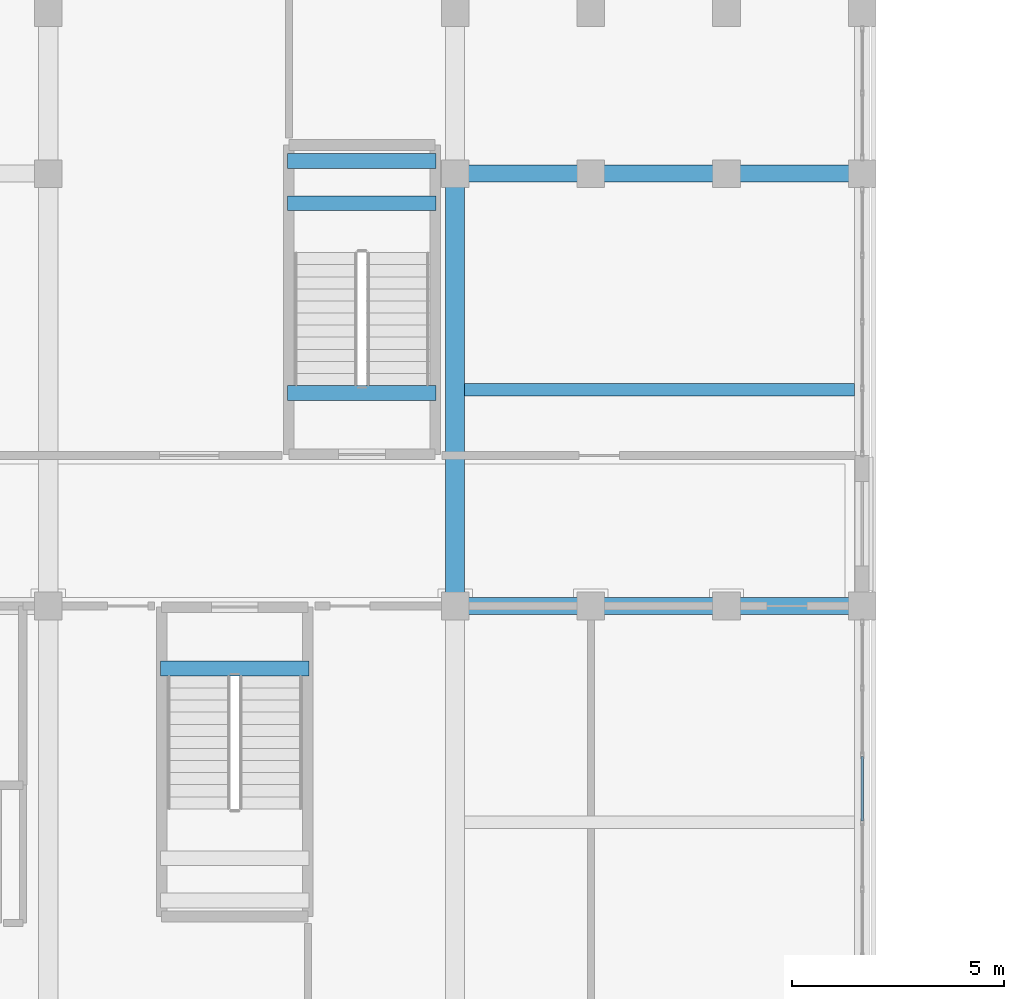
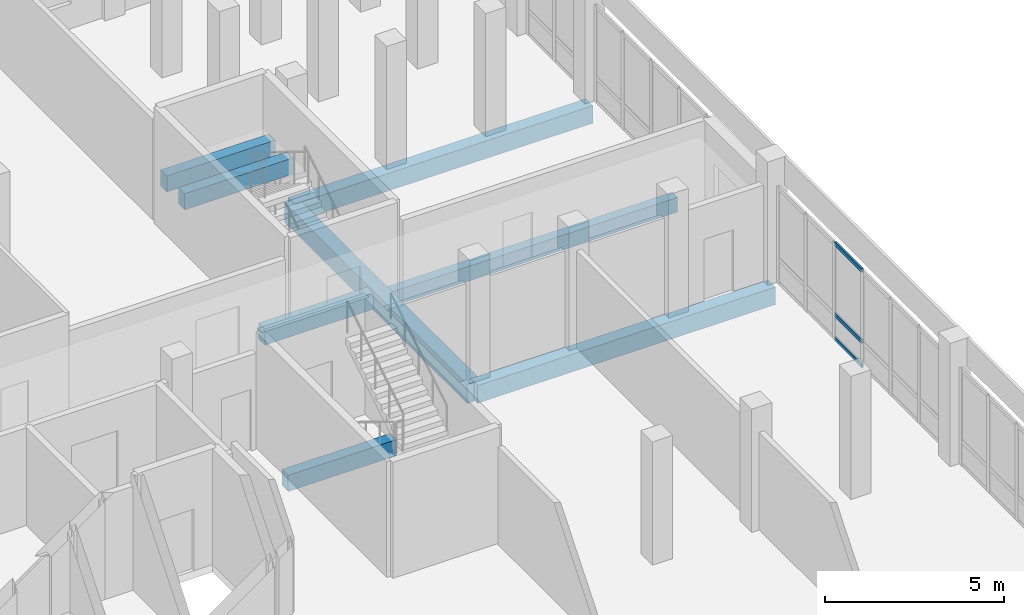
# One storey, part 17 of 200: 8 beams, 3 members, 1 element without a shape of its own.
"""IFC4 building model written with IfcOpenShell, lengths in metres."""

import ifcopenshell
import ifcopenshell.guid

model = None  # the IFC model being written
_history = None  # IfcOwnerHistory: only IFC2X3 demands one
_inside = {}  # id of a spatial element -> (the spatial element, [elements in it])
_under = {}  # id of a project, library or spatial element -> (it, [spatial elements below it])
_declared = {}  # id of a project -> (the project, [libraries it declares])
_typed = {}  # id of a type object -> (the type object, [elements of that type])
_made_of = {}  # id of a material, layer set ... -> (it, [elements and type objects made of it])


def new_model(schema):
    """Start an empty IFC model of exactly this schema.

    Asked for "IFC4X3", IfcOpenShell would pick the latest addendum, in which some entities
    have other attributes; the version numbers below select the first issue.
    IFC2X3 requires an IfcOwnerHistory on every rooted entity: one is made here for all.
    """
    global model, _history
    if schema == "IFC4X3":
        model = ifcopenshell.file(schema_version=(4, 3, 0, 0))
    else:
        model = ifcopenshell.file(schema=schema)
    _inside.clear()
    _under.clear()
    _declared.clear()
    _typed.clear()
    _made_of.clear()
    _history = None
    if model.schema == "IFC2X3":
        org = make("IfcOrganization", Name="unknown")
        user = make(
            "IfcPersonAndOrganization",
            ThePerson=make("IfcPerson", FamilyName="unknown"),
            TheOrganization=org,
        )
        app = make(
            "IfcApplication",
            ApplicationDeveloper=org,
            Version="unknown",
            ApplicationFullName="unknown",
            ApplicationIdentifier="unknown",
        )
        _history = make(
            "IfcOwnerHistory",
            OwningUser=user,
            OwningApplication=app,
            ChangeAction="ADDED",
            CreationDate=0,
        )
    return model


def make(cls, **values):
    """One entity of the class cls with the attributes given. An attribute that is None is left unset."""
    return model.create_entity(
        cls, **{name: value for name, value in values.items() if value is not None}
    )


def rooted(cls, **values):
    """An entity with a GlobalId (a new one), such as an element, a storey or a relation."""
    return make(cls, GlobalId=ifcopenshell.guid.new(), OwnerHistory=_history, **values)


def si_unit(unit_type, name, prefix=None):
    """IfcSIUnit, for example si_unit("LENGTHUNIT", "METRE", prefix="MILLI")."""
    return make("IfcSIUnit", UnitType=unit_type, Prefix=prefix, Name=name)


def assignment(units):
    """IfcUnitAssignment: the units of a project."""
    return None if units is None else make("IfcUnitAssignment", Units=units)


def point(xyz):
    """IfcCartesianPoint."""
    return None if xyz is None else make("IfcCartesianPoint", Coordinates=xyz)


def direction(xyz):
    """IfcDirection."""
    return None if xyz is None else make("IfcDirection", DirectionRatios=xyz)


def frame(location, z_axis=None, x_axis=None):
    """IfcAxis2Placement3D, a coordinate frame: its origin and axes. An axis left out is left unset."""
    return make(
        "IfcAxis2Placement3D",
        Location=point(location),
        Axis=direction(z_axis),
        RefDirection=direction(x_axis),
    )


def frame_2d(location, x_axis=None):
    """IfcAxis2Placement2D, a coordinate frame in the plane: its origin and x axis."""
    return make(
        "IfcAxis2Placement2D", Location=point(location), RefDirection=direction(x_axis)
    )


def origin():
    """The frame at (0, 0, 0) with its axes left unset."""
    return frame((0.0, 0.0, 0.0))


def origin_2d():
    """The frame at (0, 0) in the plane with its x axis left unset."""
    return frame_2d((0.0, 0.0))


def place(relative_to, where):
    """IfcLocalPlacement: puts the frame where relative to a parent placement (None: the world)."""
    return make(
        "IfcLocalPlacement", PlacementRelTo=relative_to, RelativePlacement=where
    )


def context(
    kind, dimensions, precision=None, world=None, true_north=None, identifier=None
):
    """IfcGeometricRepresentationContext, for example the 3D "Model" context."""
    return make(
        "IfcGeometricRepresentationContext",
        ContextIdentifier=identifier,
        ContextType=kind,
        CoordinateSpaceDimension=dimensions,
        Precision=precision,
        WorldCoordinateSystem=world,
        TrueNorth=true_north,
    )


def subcontext(parent, identifier, kind, view, scale=None):
    """IfcGeometricRepresentationSubContext, for example "Body" below "Model"."""
    return make(
        "IfcGeometricRepresentationSubContext",
        ContextIdentifier=identifier,
        ContextType=kind,
        ParentContext=parent,
        TargetScale=scale,
        TargetView=view,
    )


def project(units=None, contexts=None):
    """IfcProject with its units and contexts."""
    return rooted(
        "IfcProject",
        Name="project",
        RepresentationContexts=contexts,
        UnitsInContext=assignment(units),
    )


def spatial(cls, under=None, at=None, **own):
    """A site, building, storey or space (cls), placed at a placement, below another one or the project."""
    s = rooted(cls, ObjectPlacement=at, **own)
    if under is not None:
        _under.setdefault(under.id(), (under, []))[1].append(s)
    return s


def profile(cls, at=None, kind="AREA", **sizes):
    """A parametric profile (cls). Its sizes go by their IFC names, for example OverallWidth=200.0."""
    return make(cls, ProfileType=kind, Position=at, **sizes)


def rectangle(**sizes):
    """IfcRectangleProfileDef."""
    return profile("IfcRectangleProfileDef", **sizes)


def hollow_rectangle(**sizes):
    """IfcRectangleHollowProfileDef."""
    return profile("IfcRectangleHollowProfileDef", **sizes)


def extrude(swept, where, along, depth):
    """IfcExtrudedAreaSolid: the profile swept, set in the frame where, extruded along a direction by depth."""
    return make(
        "IfcExtrudedAreaSolid",
        SweptArea=swept,
        Position=where,
        ExtrudedDirection=direction(along),
        Depth=depth,
    )


def shape(context_of_items, identifier, shape_type, items):
    """IfcShapeRepresentation: the items that make up one representation, for example the "Body"."""
    return make(
        "IfcShapeRepresentation",
        ContextOfItems=context_of_items,
        RepresentationIdentifier=identifier,
        RepresentationType=shape_type,
        Items=items,
    )


def material(Name=None, Category=None):
    """IfcMaterial."""
    return make("IfcMaterial", Name=Name, Category=Category)


def material_profile(
    of_material, cross_section, Name=None, Category=None, Priority=None
):
    """IfcMaterialProfile: a cross section and its material."""
    return make(
        "IfcMaterialProfile",
        Name=Name,
        Material=of_material,
        Profile=cross_section,
        Priority=Priority,
        Category=Category,
    )


def profile_set(profiles, Name=None, composite=None):
    """IfcMaterialProfileSet."""
    return make(
        "IfcMaterialProfileSet",
        Name=Name,
        MaterialProfiles=profiles,
        CompositeProfile=composite,
    )


def made_of(thing, what):
    """Note that an element or type object is made of a material, layer set ...; save() writes the relation."""
    if what is not None:
        _made_of.setdefault(what.id(), (what, []))[1].append(thing)
    return thing


def type_object(cls, material=None, **own):
    """A type object (cls), such as IfcWallType, which elements share."""
    return made_of(rooted(cls, **own), material)


def element(
    cls,
    number,
    at=None,
    inside=None,
    cuts=None,
    type_object=None,
    material=None,
    context=None,
    identifier="Body",
    shape_type=None,
    held_by="IfcProductDefinitionShape",
    body=None,
    shapes=None,
    **own,
):
    """One element of the class cls, such as IfcWall. Its Tag is "e" and its number.

    at: its placement. inside: the storey or other place that contains it. cuts: it is an
    opening in that element (IfcRelVoidsElement). A single representation is given by context,
    identifier, shape_type and body (its items); several are given by shapes. held_by: the class
    of the entity that holds the representations. save() writes the other relations.
    """
    e = rooted(cls, Tag="e%d" % number, ObjectPlacement=at, **own)
    if body is not None:
        shapes = [shape(context, identifier, shape_type, body)]
    if shapes is not None:
        e.Representation = make(held_by, Representations=shapes)
    if inside is not None:
        _inside.setdefault(inside.id(), (inside, []))[1].append(e)
    if cuts is not None:
        rooted(
            "IfcRelVoidsElement", RelatingBuildingElement=cuts, RelatedOpeningElement=e
        )
    if type_object is not None:
        _typed.setdefault(type_object.id(), (type_object, []))[1].append(e)
    return made_of(e, material)


def aggregate(whole, parts):
    """IfcRelAggregates: a whole, such as a stair, and the parts it consists of."""
    return rooted("IfcRelAggregates", RelatingObject=whole, RelatedObjects=parts)


def save(model, path):
    """Write the relations noted so far, then the file.

    IfcRelAggregates (storeys below a building ...), IfcRelContainedInSpatialStructure (elements
    in a storey), IfcRelDefinesByType, IfcRelAssociatesMaterial and IfcRelDeclares: one each for
    every whole, place, type object, material and project.
    """
    for whole, parts in _under.values():
        aggregate(whole, parts)
    for where, things in _inside.values():
        rooted(
            "IfcRelContainedInSpatialStructure",
            RelatedElements=things,
            RelatingStructure=where,
        )
    for kind, things in _typed.values():
        rooted("IfcRelDefinesByType", RelatedObjects=things, RelatingType=kind)
    for what, things in _made_of.values():
        rooted("IfcRelAssociatesMaterial", RelatedObjects=things, RelatingMaterial=what)
    for by, libraries in _declared.values():
        rooted("IfcRelDeclares", RelatingContext=by, RelatedDefinitions=libraries)
    model.write(path)


model = new_model("IFC4")

# Units and contexts
model_context = context("Model", 3, precision=1e-05, world=origin(), true_north=direction((0.0, 1.0)))
body_context = subcontext(model_context, "Body", "Model", "MODEL_VIEW")
ifc_project = project(units=[si_unit("LENGTHUNIT", "METRE"), si_unit("AREAUNIT", "SQUARE_METRE"), si_unit("VOLUMEUNIT", "CUBIC_METRE"), si_unit("PLANEANGLEUNIT", "RADIAN"), si_unit("MASSUNIT", "GRAM", prefix="KILO")], contexts=[model_context])

# Site, building, storey
site_placement = place(None, origin())
site = spatial("IfcSite", under=ifc_project, at=site_placement, CompositionType="ELEMENT")
building_placement = place(site_placement, origin())
building = spatial("IfcBuilding", under=site, at=building_placement, Name="Vondelvale Polytechnic", CompositionType="ELEMENT")
storey_placement = place(building_placement, frame((0.0, 0.0, 13.800048828125)))
storey = spatial("IfcBuildingStorey", under=building, at=storey_placement, Name="L03", CompositionType="ELEMENT", Elevation=13.800048828125)

# Beams
ifc_material_1 = material(Name="Concrete N40 (f'c = 40 MPa)", Category="concrete")
ifc_material_profile_1 = material_profile(ifc_material_1, rectangle(XDim=0.35009765625, YDim=0.550048828125, at=origin_2d()), Name="RC-BM-350x550")
ifc_profile_set_1 = profile_set([ifc_material_profile_1], Name="Concrete N40 (f'c = 40 MPa)")
beam_type_1 = type_object("IfcBeamType", Name="BM-RC350x550", PredefinedType="BEAM", material=ifc_profile_set_1)
for number, where, z_axis, x_axis, name in (
    (1, (31.449951171875, 18.925048828125, -0.275146484375), (1.0, 0.0, 0.0), (0.0, 1.0, 0.0), "L03 STHD B-06"),
    (2, (37.949951171875, 29.89990234375, 1.625), (-1.0, 0.0, 0.0), (0.0, -1.0, 0.0), "L03 STLD B-06"),
    (3, (37.949951171875, 30.89990234375, 1.625), (-1.0, 0.0, 0.0), (0.0, -1.0, 0.0), "L03 STLD B-06"),
    (4, (37.949951171875, 25.425048828125, -0.275146484375), (-1.0, 0.0, 0.0), (0.0, -1.0, 0.0), "L03 STHD B-06"),
):
    element("IfcBeam", number, at=place(storey_placement, frame(where, z_axis=z_axis, x_axis=x_axis)), inside=storey, type_object=beam_type_1, Name=name, PredefinedType="BEAM", context=body_context, shape_type="SweptSolid", body=[
        extrude(rectangle(XDim=0.35009765625, YDim=0.550048828125, at=origin_2d()), origin(), (0.0, 0.0, 1.0), 3.5),
    ])
ifc_material_profile_2 = material_profile(ifc_material_1, rectangle(XDim=0.39990234375, YDim=0.60009765625, at=origin_2d()), Name="RC-BM-400x600")
ifc_profile_set_2 = profile_set([ifc_material_profile_2], Name="Concrete N40 (f'c = 40 MPa)")
beam_type_2 = type_object("IfcBeamType", Name="BM-RC400x600", PredefinedType="BEAM", material=ifc_profile_set_2)
for number, where, z_axis, x_axis, name in (
    (5, (38.39990234375, 20.39990234375, -0.550048828125), (1.0, 0.0, 0.0), (0.0, 1.0, 0.0), "L03 B B-05"),
    (6, (38.39990234375, 30.60009765625, -0.550048828125), (1.0, 0.0, 0.0), (0.0, 1.0, 0.0), "L03 B B-05"),
):
    element("IfcBeam", number, at=place(storey_placement, frame(where, z_axis=z_axis, x_axis=x_axis)), inside=storey, type_object=beam_type_2, Name=name, PredefinedType="BEAM", context=body_context, shape_type="SweptSolid", body=[
        extrude(rectangle(XDim=0.39990234375, YDim=0.60009765625, at=origin_2d()), origin(), (0.0, 0.0, 1.0), 9.60009765625),
    ])
ifc_material_profile_3 = material_profile(ifc_material_1, rectangle(XDim=0.449951171875, YDim=0.64990234375, at=origin_2d()), Name="RC-BM-450x650")
ifc_profile_set_3 = profile_set([ifc_material_profile_3], Name="Concrete N40 (f'c = 40 MPa)")
beam_type_3 = type_object("IfcBeamType", Name="BM-RC450x650", PredefinedType="BEAM", material=ifc_profile_set_3)
beam_1_placement = place(storey_placement, frame((38.39990234375, 20.39990234375, -0.574951171875), z_axis=(0.0, 1.0, 0.0), x_axis=(-1.0, 0.0, 0.0)))
element("IfcBeam", 7, at=beam_1_placement, inside=storey, type_object=beam_type_3, Name="L03 B B-04", PredefinedType="BEAM", context=body_context, shape_type="SweptSolid", body=[
    extrude(rectangle(XDim=0.449951171875, YDim=0.64990234375, at=origin_2d()), origin(), (0.0, 0.0, 1.0), 10.2001953125),
])

# Curtain wall, members
ifc_material_2 = material(Name="Anodised extruded aluminium 6063-T6", Category="aluminium")
curtain_wall_type = type_object("IfcCurtainWallType", Name="CW-STUDIO-NORTH", PredefinedType="NOTDEFINED", material=ifc_material_2)
curtain_wall_placement = place(storey_placement, origin())
curtain_wall = element("IfcCurtainWall", 8, at=curtain_wall_placement, inside=storey, type_object=curtain_wall_type, Name="L03 architectural curtain wall CW-01-026", PredefinedType="NOTDEFINED")
ifc_material_profile_4 = material_profile(ifc_material_2, hollow_rectangle(XDim=0.06005859375, YDim=0.139892578125, WallThickness=0.00341796875, at=origin_2d()), Name="CW-TRN-140x60")
ifc_profile_set_4 = profile_set([ifc_material_profile_4], Name="Anodised extruded aluminium 6063-T6")
member_type = type_object("IfcMemberType", Name="CW-TRN-60x140", PredefinedType="USERDEFINED", material=ifc_profile_set_4)
member_1_placement = place(storey_placement, frame((48.0, 15.33251953125, 0.030029296875), z_axis=(0.0, 1.0, 0.0), x_axis=(-1.0, 0.0, 0.0)))
member_1 = element("IfcMember", 9, at=member_1_placement, type_object=member_type, Name="CW-01-026 transom 4.1", ObjectType="TRANSOM", PredefinedType="USERDEFINED", context=body_context, shape_type="SweptSolid", body=[
    extrude(hollow_rectangle(XDim=0.06005859375, YDim=0.139892578125, WallThickness=0.00341796875, at=origin_2d()), origin(), (0.0, 0.0, 1.0), 1.5166015625),
])
member_2_placement = place(storey_placement, frame((48.0, 15.33251953125, 0.849853515625), z_axis=(0.0, 1.0, 0.0), x_axis=(-1.0, 0.0, 0.0)))
member_2 = element("IfcMember", 10, at=member_2_placement, type_object=member_type, Name="CW-01-026 transom 4.2", ObjectType="TRANSOM", PredefinedType="USERDEFINED", context=body_context, shape_type="SweptSolid", body=[
    extrude(hollow_rectangle(XDim=0.06005859375, YDim=0.139892578125, WallThickness=0.00341796875, at=origin_2d()), origin(), (0.0, 0.0, 1.0), 1.5166015625),
])
member_3_placement = place(storey_placement, frame((48.0, 15.33251953125, 3.27001953125), z_axis=(0.0, 1.0, 0.0), x_axis=(-1.0, 0.0, 0.0)))
member_3 = element("IfcMember", 11, at=member_3_placement, type_object=member_type, Name="CW-01-026 transom 4.3", ObjectType="TRANSOM", PredefinedType="USERDEFINED", context=body_context, shape_type="SweptSolid", body=[
    extrude(hollow_rectangle(XDim=0.06005859375, YDim=0.139892578125, WallThickness=0.00341796875, at=origin_2d()), origin(), (0.0, 0.0, 1.0), 1.5166015625),
])
aggregate(curtain_wall, [member_1, member_2, member_3])

# Beam
ifc_material_profile_5 = material_profile(ifc_material_1, rectangle(XDim=0.300048828125, YDim=0.5, at=origin_2d()), Name="RC-JST-300x500")
ifc_profile_set_5 = profile_set([ifc_material_profile_5], Name="Concrete N40 (f'c = 40 MPa)")
beam_type_4 = type_object("IfcBeamType", Name="JST-RC300x500", PredefinedType="JOIST", material=ifc_profile_set_5)
beam_2_placement = place(storey_placement, frame((38.625, 25.5, -0.5), z_axis=(1.0, 0.0, 0.0), x_axis=(0.0, 1.0, 0.0)))
element("IfcBeam", 12, at=beam_2_placement, inside=storey, type_object=beam_type_4, Name="L03 J J-02", PredefinedType="JOIST", context=body_context, shape_type="SweptSolid", body=[
    extrude(rectangle(XDim=0.300048828125, YDim=0.5, at=origin_2d()), origin(), (0.0, 0.0, 1.0), 9.199951171875),
])

save(model, "model.ifc")
